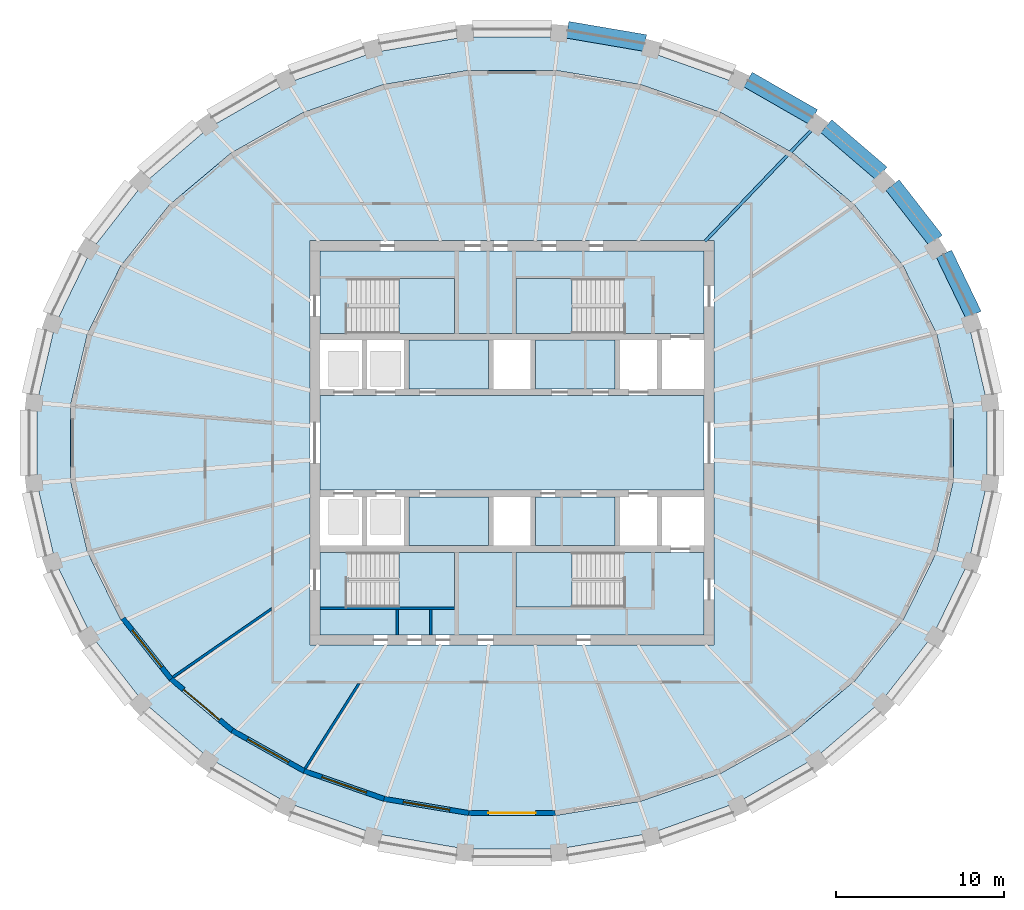
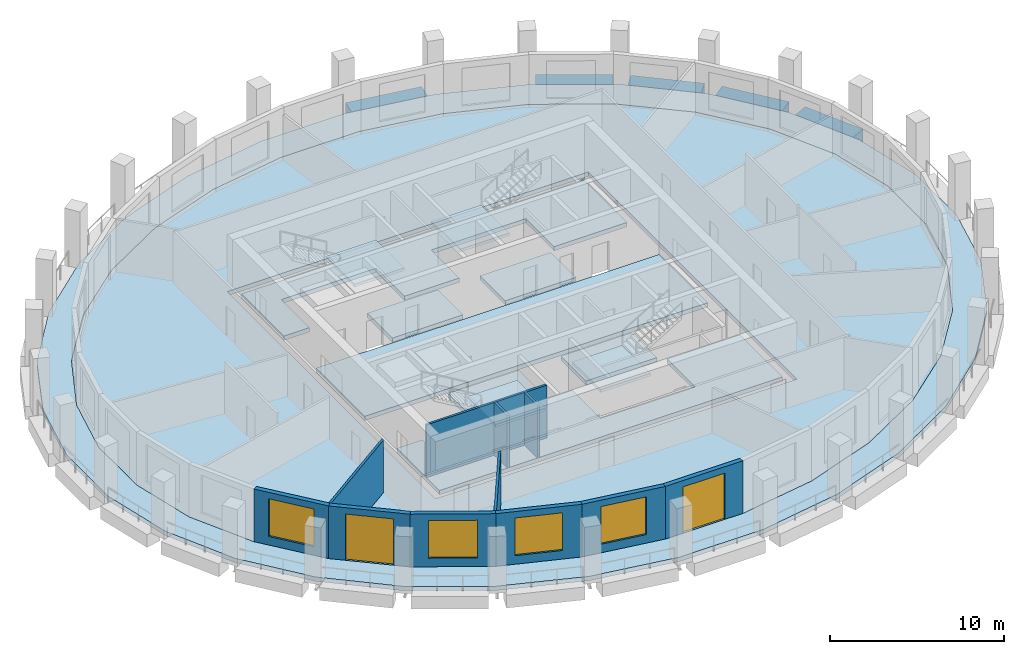
# One storey, part 2 of 10: 13 slabs, 11 walls, 6 beams, 4 windows, 2 doors, 6 openings, 4 elements without a shape of their own.
"""IFC4 building model written with IfcOpenShell, lengths in metres."""

from ifc_helpers import new_model, si_unit, direction, frame, frame_2d, origin, origin_2d, place, context, subcontext, project, spatial, polyline, rectangle, i_section, outline, extrude, material, layer, layer_set, material_profile, profile_set, type_object, element, fill, aggregate, save


model = new_model("IFC4")

# Units and contexts
model_context = context("Model", 3, precision=1e-05, world=origin(), true_north=direction((0.0, 1.0)))
body_context = subcontext(model_context, "Body", "Model", "MODEL_VIEW")
ifc_project = project(units=[si_unit("LENGTHUNIT", "METRE"), si_unit("AREAUNIT", "SQUARE_METRE"), si_unit("VOLUMEUNIT", "CUBIC_METRE"), si_unit("PLANEANGLEUNIT", "RADIAN"), si_unit("MASSUNIT", "GRAM", prefix="KILO")], contexts=[model_context])

# Site, building, storey
site_placement = place(None, origin())
site = spatial("IfcSite", under=ifc_project, at=site_placement, CompositionType="ELEMENT")
building_placement = place(site_placement, origin())
building = spatial("IfcBuilding", under=site, at=building_placement, Name="Halqa Exchange Tower", CompositionType="ELEMENT")
storey_placement = place(building_placement, frame((0.0, 0.0, 312.300048828125)))
storey = spatial("IfcBuildingStorey", under=building, at=storey_placement, Name="L73", CompositionType="ELEMENT", Elevation=312.300048828125)

# Beams
ifc_material_1 = material(Name="Steel S355", Category="steel")
ifc_material_profile_1 = material_profile(ifc_material_1, i_section(OverallWidth=0.179931640625, OverallDepth=0.39990234375, WebThickness=0.008544921875, FlangeThickness=0.013427734375, FilletRadius=0.02099609375, at=origin_2d()), Name="IPE 400")
ifc_profile_set_1 = profile_set([ifc_material_profile_1], Name="Steel S355")
beam_type_1 = type_object("IfcBeamType", Name="Floor beam IPE 400", PredefinedType="BEAM", material=ifc_profile_set_1)
beam_1_placement = place(storey_placement, frame((11.46240234375, 11.9716796875, -0.5), z_axis=(0.69157007379, 0.722309374879, 0.0), x_axis=(-0.722309374879, 0.69157007379, 0.0)))
element("IfcBeam", 1, at=beam_1_placement, inside=storey, type_object=beam_type_1, Name="Radial beam 5", PredefinedType="BEAM", context=body_context, shape_type="SweptSolid", body=[
    extrude(i_section(OverallWidth=0.179931640625, OverallDepth=0.39990234375, WebThickness=0.008544921875, FlangeThickness=0.013427734375, FilletRadius=0.02099609375, at=origin_2d()), origin(), (0.0, 0.0, 1.0), 9.5068359375),
])
ifc_material_2 = material(Name="Concrete C60/75", Category="concrete")
ifc_material_profile_2 = material_profile(ifc_material_2, rectangle(XDim=1.0, YDim=0.89990234375, at=origin_2d()), Name="1000 x 900")
ifc_profile_set_2 = profile_set([ifc_material_profile_2], Name="Concrete C60/75")
beam_type_2 = type_object("IfcBeamType", Name="RC spandrel beam 1000 x 900 C60/75", PredefinedType="SPANDREL", material=ifc_profile_set_2)
beam_2_placement = place(storey_placement, frame((27.393310546875, 7.6044921875, -0.449951171875), z_axis=(-0.43510880849, 0.900377878879, 0.0), x_axis=(-0.900377878879, -0.43510880849, 0.0)))
element("IfcBeam", 2, at=beam_2_placement, inside=storey, type_object=beam_type_2, Name="Spandrel 2", PredefinedType="SPANDREL", context=body_context, shape_type="SweptSolid", body=[
    extrude(rectangle(XDim=1.0, YDim=0.89990234375, at=origin_2d()), origin(), (0.0, 0.0, 1.0), 4.023193359375),
])
beam_3_placement = place(storey_placement, frame((25.14453125, 12.0283203125, -0.449951171875), z_axis=(-0.614813616622, 0.788672439493, 0.0), x_axis=(-0.788672439493, -0.614813616622, 0.0)))
element("IfcBeam", 3, at=beam_3_placement, inside=storey, type_object=beam_type_2, Name="Spandrel 3", PredefinedType="SPANDREL", context=body_context, shape_type="SweptSolid", body=[
    extrude(rectangle(XDim=1.0, YDim=0.89990234375, at=origin_2d()), origin(), (0.0, 0.0, 1.0), 4.160888671875),
])
beam_4_placement = place(storey_placement, frame((21.93505859375, 15.991943359375, -0.449951171875), z_axis=(-0.759264587282, 0.650782057604, 0.0), x_axis=(-0.650782057604, -0.759264587282, 0.0)))
element("IfcBeam", 4, at=beam_4_placement, inside=storey, type_object=beam_type_2, Name="Spandrel 4", PredefinedType="SPANDREL", context=body_context, shape_type="SweptSolid", body=[
    extrude(rectangle(XDim=1.0, YDim=0.89990234375, at=origin_2d()), origin(), (0.0, 0.0, 1.0), 4.31640625),
])
beam_5_placement = place(storey_placement, frame((17.885986328125, 19.345703125, -0.449951171875), z_axis=(-0.867738419342, 0.497021162123, 0.0), x_axis=(-0.497021162123, -0.867738419342, 0.0)))
element("IfcBeam", 5, at=beam_5_placement, inside=storey, type_object=beam_type_2, Name="Spandrel 5", PredefinedType="SPANDREL", context=body_context, shape_type="SweptSolid", body=[
    extrude(rectangle(XDim=1.0, YDim=0.89990234375, at=origin_2d()), origin(), (0.0, 0.0, 1.0), 4.468994140625),
])
beam_6_placement = place(storey_placement, frame((7.90478515625, 23.737060546875, -0.449951171875), z_axis=(-0.985773363279, 0.168079969805, 0.0), x_axis=(-0.168079969805, -0.985773363279, 0.0)))
element("IfcBeam", 6, at=beam_6_placement, inside=storey, type_object=beam_type_2, Name="Spandrel 7", PredefinedType="SPANDREL", context=body_context, shape_type="SweptSolid", body=[
    extrude(rectangle(XDim=1.0, YDim=0.89990234375, at=origin_2d()), origin(), (0.0, 0.0, 1.0), 4.67724609375),
])

# Slabs
ifc_layer_1 = layer(ifc_material_2, 0.300048828125)
ifc_layer_set_1 = layer_set([ifc_layer_1], Name="Concrete C60/75")
slab_type_1 = type_object("IfcSlabType", Name="Core floor slab 300", PredefinedType="FLOOR", material=ifc_layer_set_1)
slab_1_placement = place(storey_placement, frame((0.0, 0.0, -0.300048828125)))
element("IfcSlab", 7, at=slab_1_placement, inside=storey, type_object=slab_type_1, Name="Core floor slab", PredefinedType="FLOOR", context=body_context, shape_type="SweptSolid", body=[
    extrude(outline(polyline([(-11.39990234375, 2.800048828125), (11.39990234375, 2.800048828125), (11.39990234375, -2.800048828125), (-11.39990234375, -2.800048828125), (-11.39990234375, 2.800048828125)])), origin(), (0.0, 0.0, 1.0), 0.300048828125),
])
slab_2_placement = place(storey_placement, frame((0.0, 0.0, -0.300048828125)))
element("IfcSlab", 8, at=slab_2_placement, inside=storey, type_object=slab_type_1, Name="Core floor slab", PredefinedType="FLOOR", context=body_context, shape_type="SweptSolid", body=[
    extrude(outline(polyline([(-11.39990234375, 11.39990234375), (11.39990234375, 11.39990234375), (11.39990234375, 6.5), (6.550048828125, 6.5), (6.550048828125, 9.75), (0.25, 9.75), (0.25, 6.5), (-3.39990234375, 6.5), (-3.39990234375, 9.75), (-9.699951171875, 9.75), (-9.699951171875, 6.5), (-11.39990234375, 6.5), (-11.39990234375, 11.39990234375)])), origin(), (0.0, 0.0, 1.0), 0.300048828125),
])
slab_3_placement = place(storey_placement, frame((0.0, 0.0, -0.300048828125)))
element("IfcSlab", 9, at=slab_3_placement, inside=storey, type_object=slab_type_1, Name="Core floor slab", PredefinedType="FLOOR", context=body_context, shape_type="SweptSolid", body=[
    extrude(outline(polyline([(-11.39990234375, -6.5), (-9.699951171875, -6.5), (-9.699951171875, -9.75), (-3.39990234375, -9.75), (-3.39990234375, -6.5), (0.25, -6.5), (0.25, -9.75), (6.550048828125, -9.75), (6.550048828125, -6.5), (11.39990234375, -6.5), (11.39990234375, -11.39990234375), (-11.39990234375, -11.39990234375), (-11.39990234375, -6.5)])), origin(), (0.0, 0.0, 1.0), 0.300048828125),
])
slab_4_placement = place(storey_placement, frame((0.0, 0.0, -0.300048828125)))
element("IfcSlab", 10, at=slab_4_placement, inside=storey, type_object=slab_type_1, Name="Core floor slab", PredefinedType="FLOOR", context=body_context, shape_type="SweptSolid", body=[
    extrude(outline(polyline([(-1.39990234375, -3.199951171875), (-1.39990234375, -6.10009765625), (-6.10009765625, -6.10009765625), (-6.10009765625, -3.199951171875), (-1.39990234375, -3.199951171875)])), origin(), (0.0, 0.0, 1.0), 0.300048828125),
])
slab_5_placement = place(storey_placement, frame((0.0, 0.0, -0.300048828125)))
element("IfcSlab", 11, at=slab_5_placement, inside=storey, type_object=slab_type_1, Name="Core floor slab", PredefinedType="FLOOR", context=body_context, shape_type="SweptSolid", body=[
    extrude(outline(polyline([(-1.39990234375, 3.199951171875), (-6.10009765625, 3.199951171875), (-6.10009765625, 6.10009765625), (-1.39990234375, 6.10009765625), (-1.39990234375, 3.199951171875)])), origin(), (0.0, 0.0, 1.0), 0.300048828125),
])
slab_6_placement = place(storey_placement, frame((0.0, 0.0, -0.300048828125)))
element("IfcSlab", 12, at=slab_6_placement, inside=storey, type_object=slab_type_1, Name="Core floor slab", PredefinedType="FLOOR", context=body_context, shape_type="SweptSolid", body=[
    extrude(outline(polyline([(6.10009765625, -3.199951171875), (6.10009765625, -6.10009765625), (1.39990234375, -6.10009765625), (1.39990234375, -3.199951171875), (6.10009765625, -3.199951171875)])), origin(), (0.0, 0.0, 1.0), 0.300048828125),
])
slab_7_placement = place(storey_placement, frame((0.0, 0.0, -0.300048828125)))
element("IfcSlab", 13, at=slab_7_placement, inside=storey, type_object=slab_type_1, Name="Core floor slab", PredefinedType="FLOOR", context=body_context, shape_type="SweptSolid", body=[
    extrude(outline(polyline([(6.10009765625, 6.10009765625), (6.10009765625, 3.199951171875), (1.39990234375, 3.199951171875), (1.39990234375, 6.10009765625), (6.10009765625, 6.10009765625)])), origin(), (0.0, 0.0, 1.0), 0.300048828125),
])
ifc_material_3 = material(Name="Concrete C40/50", Category="concrete")
ifc_layer_2 = layer(ifc_material_3, 0.300048828125)
ifc_layer_set_2 = layer_set([ifc_layer_2], Name="Concrete C40/50")
slab_type_2 = type_object("IfcSlabType", Name="RC floor slab 300", PredefinedType="FLOOR", material=ifc_layer_set_2)
slab_8_placement = place(storey_placement, frame((0.0, 0.0, -0.300048828125)))
element("IfcSlab", 14, at=slab_8_placement, inside=storey, type_object=slab_type_2, Name="Floor slab", PredefinedType="FLOOR", context=body_context, shape_type="SweptSolid", body=[
    extrude(outline(polyline([(26.216796875, 2.18359375), (25.204833984375, 6.465576171875), (23.22216796875, 10.4951171875), (20.346923828125, 14.1171875), (16.6923828125, 17.193603515625), (12.400146484375, 19.60791015625), (7.63427734375, 21.26953125), (2.577392578125, 22.1162109375), (-2.577392578125, 22.1162109375), (-7.63427734375, 21.26953125), (-12.400146484375, 19.60791015625), (-16.6923828125, 17.193603515625), (-20.346923828125, 14.1171875), (-23.22216796875, 10.4951171875), (-25.204833984375, 6.465576171875), (-26.216796875, 2.18359375), (-26.216796875, -2.18359375), (-25.204833984375, -6.465576171875), (-23.22216796875, -10.4951171875), (-20.346923828125, -14.1171875), (-16.6923828125, -17.193603515625), (-12.400146484375, -19.60791015625), (-7.63427734375, -21.26953125), (-2.577392578125, -22.1162109375), (2.577392578125, -22.1162109375), (7.63427734375, -21.26953125), (12.400146484375, -19.60791015625), (16.6923828125, -17.193603515625), (20.346923828125, -14.1171875), (23.22216796875, -10.4951171875), (25.204833984375, -6.465576171875), (26.216796875, -2.18359375), (26.216796875, 2.18359375)]), holes=[polyline([(-12.0, -12.0), (12.0, -12.0), (12.0, 12.0), (-12.0, 12.0), (-12.0, -12.0)])]), origin(), (0.0, 0.0, 1.0), 0.300048828125),
])
ifc_layer_3 = layer(ifc_material_3, 0.300048828125)
ifc_layer_set_3 = layer_set([ifc_layer_3], Name="Concrete C40/50")
slab_type_3 = type_object("IfcSlabType", Name="RC loggia slab 300", PredefinedType="FLOOR", material=ifc_layer_set_3)
slab_9_placement = place(storey_placement, frame((0.0, 0.0, -0.300048828125)))
element("IfcSlab", 15, at=slab_9_placement, inside=storey, type_object=slab_type_3, Name="Loggia slab", PredefinedType="FLOOR", context=body_context, shape_type="SweptSolid", body=[
    extrude(outline(polyline([(28.203125, 2.365966796875), (28.203125, -2.365966796875), (27.125732421875, -7.009033203125), (25.009521484375, -11.38818359375), (21.931640625, -15.336181640625), (18.0078125, -18.69970703125), (13.386474609375, -21.346435546875), (8.245849609375, -23.171630859375), (2.78466796875, -24.102783203125), (-2.78466796875, -24.102783203125), (-8.245849609375, -23.171630859375), (-13.386474609375, -21.346435546875), (-18.0078125, -18.69970703125), (-21.931640625, -15.336181640625), (-25.009521484375, -11.38818359375), (-27.125732421875, -7.009033203125), (-28.203125, -2.365966796875), (-28.203125, 2.365966796875), (-27.125732421875, 7.009033203125), (-25.009521484375, 11.38818359375), (-21.931640625, 15.336181640625), (-18.0078125, 18.69970703125), (-13.386474609375, 21.346435546875), (-8.245849609375, 23.171630859375), (-2.78466796875, 24.102783203125), (2.78466796875, 24.102783203125), (8.245849609375, 23.171630859375), (13.386474609375, 21.346435546875), (18.0078125, 18.69970703125), (21.931640625, 15.336181640625), (25.009521484375, 11.38818359375), (27.125732421875, 7.009033203125), (28.203125, 2.365966796875)]), holes=[polyline([(26.216796875, 2.18359375), (25.204833984375, 6.465576171875), (23.22216796875, 10.4951171875), (20.346923828125, 14.1171875), (16.6923828125, 17.193603515625), (12.400146484375, 19.60791015625), (7.63427734375, 21.26953125), (2.577392578125, 22.1162109375), (-2.577392578125, 22.1162109375), (-7.63427734375, 21.26953125), (-12.400146484375, 19.60791015625), (-16.6923828125, 17.193603515625), (-20.346923828125, 14.1171875), (-23.22216796875, 10.4951171875), (-25.204833984375, 6.465576171875), (-26.216796875, 2.18359375), (-26.216796875, -2.18359375), (-25.204833984375, -6.465576171875), (-23.22216796875, -10.4951171875), (-20.346923828125, -14.1171875), (-16.6923828125, -17.193603515625), (-12.400146484375, -19.60791015625), (-7.63427734375, -21.26953125), (-2.577392578125, -22.1162109375), (2.577392578125, -22.1162109375), (7.63427734375, -21.26953125), (12.400146484375, -19.60791015625), (16.6923828125, -17.193603515625), (20.346923828125, -14.1171875), (23.22216796875, -10.4951171875), (25.204833984375, -6.465576171875), (26.216796875, -2.18359375), (26.216796875, 2.18359375)])]), origin(), (0.0, 0.0, 1.0), 0.300048828125),
])

# Stair, slab
ifc_material_4 = material(Name="Concrete C30/37", Category="concrete")
stair_type = type_object("IfcStairType", Name="Exit stair 1500 wide", PredefinedType="HALF_TURN_STAIR", material=ifc_material_4)
stair_1_placement = place(storey_placement, origin())
stair_1 = element("IfcStair", 16, at=stair_1_placement, inside=storey, type_object=stair_type, Name="Exit stair ST1", PredefinedType="HALF_TURN_STAIR")
ifc_layer_4 = layer(ifc_material_4, 0.199951171875)
ifc_layer_set_4 = layer_set([ifc_layer_4], Name="Concrete C30/37")
slab_type_4 = type_object("IfcSlabType", Name="Stair landing 200 slab", PredefinedType="LANDING", material=ifc_layer_set_4)
slab_10_placement = place(storey_placement, frame((0.0, 0.0, 1.800048828125)))
slab_10 = element("IfcSlab", 17, at=slab_10_placement, type_object=slab_type_4, Name="ST1 landing 1", PredefinedType="LANDING", context=body_context, shape_type="SweptSolid", body=[
    extrude(outline(polyline([(-6.719970703125, 6.5), (-3.39990234375, 6.5), (-3.39990234375, 9.75), (-6.719970703125, 9.75), (-6.719970703125, 6.5)])), origin(), (0.0, 0.0, 1.0), 0.199951171875),
])
aggregate(stair_1, [slab_10])

stair_2_placement = place(storey_placement, origin())
stair_2 = element("IfcStair", 18, at=stair_2_placement, inside=storey, type_object=stair_type, Name="Exit stair ST2", PredefinedType="HALF_TURN_STAIR")
slab_11_placement = place(storey_placement, frame((0.0, 0.0, 1.800048828125)))
slab_11 = element("IfcSlab", 19, at=slab_11_placement, type_object=slab_type_4, Name="ST2 landing 1", PredefinedType="LANDING", context=body_context, shape_type="SweptSolid", body=[
    extrude(outline(polyline([(0.25, 6.5), (3.570068359375, 6.5), (3.570068359375, 9.75), (0.25, 9.75), (0.25, 6.5)])), origin(), (0.0, 0.0, 1.0), 0.199951171875),
])
aggregate(stair_2, [slab_11])

stair_3_placement = place(storey_placement, origin())
stair_3 = element("IfcStair", 20, at=stair_3_placement, inside=storey, type_object=stair_type, Name="Exit stair ST3", PredefinedType="HALF_TURN_STAIR")
slab_12_placement = place(storey_placement, frame((0.0, 0.0, 1.800048828125)))
slab_12 = element("IfcSlab", 21, at=slab_12_placement, type_object=slab_type_4, Name="ST3 landing 1", PredefinedType="LANDING", context=body_context, shape_type="SweptSolid", body=[
    extrude(outline(polyline([(-6.719970703125, -9.75), (-3.39990234375, -9.75), (-3.39990234375, -6.5), (-6.719970703125, -6.5), (-6.719970703125, -9.75)])), origin(), (0.0, 0.0, 1.0), 0.199951171875),
])
aggregate(stair_3, [slab_12])

stair_4_placement = place(storey_placement, origin())
stair_4 = element("IfcStair", 22, at=stair_4_placement, inside=storey, type_object=stair_type, Name="Exit stair ST4", PredefinedType="HALF_TURN_STAIR")
slab_13_placement = place(storey_placement, frame((0.0, 0.0, 1.800048828125)))
slab_13 = element("IfcSlab", 23, at=slab_13_placement, type_object=slab_type_4, Name="ST4 landing 1", PredefinedType="LANDING", context=body_context, shape_type="SweptSolid", body=[
    extrude(outline(polyline([(0.25, -9.75), (3.570068359375, -9.75), (3.570068359375, -6.5), (0.25, -6.5), (0.25, -9.75)])), origin(), (0.0, 0.0, 1.0), 0.199951171875),
])
aggregate(stair_4, [slab_13])

# Walls
ifc_material_5 = material(Name="Fire-rated gypsum board")
ifc_layer_5 = layer(ifc_material_5, 0.14990234375)
ifc_layer_set_5 = layer_set([ifc_layer_5], Name="Fire-rated gypsum board")
wall_type_1 = type_object("IfcWallType", Name="Fire partition EI 60 150", PredefinedType="PARTITIONING", material=ifc_layer_set_5)
wall_1_placement = place(storey_placement, frame((-14.232421875, -9.83251953125, 0.0), z_axis=(0.0, 0.0, 1.0), x_axis=(-0.822725997435, -0.568438152436, 0.0)))
element("IfcWall", 24, at=wall_1_placement, inside=storey, type_object=wall_type_1, Name="L73-PWL-007", PredefinedType="PARTITIONING", context=body_context, shape_type="SweptSolid", body=[
    extrude(outline(polyline([(0.0, -0.074951171875), (1.79345703125, -0.074951171875), (3.5869140625, -0.074951171875), (5.38037109375, -0.074951171875), (7.173828125, -0.074951171875), (7.1689453125, -0.000732421875), (7.148193359375, 0.074951171875), (5.386962890625, 0.074951171875), (3.6259765625, 0.074951171875), (1.86474609375, 0.074951171875), (0.103515625, 0.074951171875), (0.0, -0.074951171875), (0.0, -0.074951171875)])), origin(), (0.0, 0.0, 1.0), 3.699951171875),
])
wall_2_placement = place(storey_placement, frame((-9.042236328125, -14.235107421875, 0.0), z_axis=(0.0, 0.0, 1.0), x_axis=(-0.535766262989, -0.844366337228, 0.0)))
element("IfcWall", 25, at=wall_2_placement, inside=storey, type_object=wall_type_1, Name="L73-PWL-009", PredefinedType="PARTITIONING", context=body_context, shape_type="SweptSolid", body=[
    extrude(outline(polyline([(6.041015625, -0.074951171875), (6.041015625, -0.0673828125), (6.037353515625, 0.000732421875), (6.02001953125, 0.074951171875), (4.51513671875, 0.074951171875), (3.010009765625, 0.074951171875), (1.505126953125, 0.074951171875), (0.0, 0.074951171875), (0.0, 0.074462890625), (0.0947265625, -0.074951171875), (2.076904296875, -0.074951171875), (4.058837890625, -0.074951171875), (6.041015625, -0.074951171875)])), origin(), (0.0, 0.0, 1.0), 3.699951171875),
])
ifc_material_6 = material(Name="Gypsum board")
ifc_layer_6 = layer(ifc_material_6, 0.14990234375)
ifc_layer_set_6 = layer_set([ifc_layer_6], Name="Gypsum board")
wall_type_2 = type_object("IfcWallType", Name="Penthouse riser wall 150 gypsum", PredefinedType="PARTITIONING", material=ifc_layer_set_6)
for number, where, z_axis, x_axis, name in (
    (26, (-6.824951171875, -11.39990234375, 0.0), (0.0, 0.0, 1.0), (0.0, 1.0, 0.0), "Partition W6.825 S"),
    (27, (-4.824951171875, -11.39990234375, 0.0), (0.0, 0.0, 1.0), (0.0, 1.0, 0.0), "Partition W4.825 S"),
):
    element("IfcWall", number, at=place(storey_placement, frame(where, z_axis=z_axis, x_axis=x_axis)), inside=storey, type_object=wall_type_2, Name=name, PredefinedType="PARTITIONING", context=body_context, shape_type="SweptSolid", body=[
        extrude(rectangle(XDim=1.5, YDim=0.14990234375, at=frame_2d((0.75, 0.0))), origin(), (0.0, 0.0, 1.0), 3.699951171875),
    ])
ifc_layer_7 = layer(ifc_material_4, 0.14990234375)
ifc_layer_set_7 = layer_set([ifc_layer_7], Name="Concrete C30/37")
wall_type_3 = type_object("IfcWallType", Name="RC stair wall 150 C30/37", PredefinedType="SHEAR", material=ifc_layer_set_7)
wall_3_placement = place(storey_placement, frame((-11.39990234375, -9.824951171875, 0.0), z_axis=(0.0, 0.0, 1.0), x_axis=(1.0, 0.0, 0.0)))
element("IfcWall", 28, at=wall_3_placement, inside=storey, type_object=wall_type_3, Name="Stair ST1 north wall S", PredefinedType="SHEAR", context=body_context, shape_type="SweptSolid", body=[
    extrude(rectangle(XDim=8.0, YDim=0.14990234375, at=frame_2d((4.0, 0.0))), origin(), (0.0, 0.0, 1.0), 3.699951171875),
])

# Wall, opening, window
ifc_material_7 = material(Name="Limestone cladding", Category="masonry")
ifc_layer_8 = layer(ifc_material_7, 0.0400390625)
ifc_material_8 = material(Name="Ventilated cavity")
ifc_layer_9 = layer(ifc_material_8, 0.030029296875, ventilated=True)
ifc_material_9 = material(Name="Mineral wool insulation")
ifc_layer_10 = layer(ifc_material_9, 0.10009765625)
ifc_layer_11 = layer(ifc_material_4, 0.10009765625)
ifc_material_10 = material(Name="Internal plaster")
ifc_layer_12 = layer(ifc_material_10, 0.030029296875)
ifc_layer_set_8 = layer_set([ifc_layer_8, ifc_layer_9, ifc_layer_10, ifc_layer_11, ifc_layer_12], Name="Stone-faced insulated wall 300")
wall_type_4 = type_object("IfcWallType", Name="Stone-faced insulated wall 300", PredefinedType="STANDARD", material=ifc_layer_set_8)
wall_4_placement = place(storey_placement, frame((-23.094482421875, -10.41455078125, 0.0), z_axis=(0.0, 0.0, 1.0), x_axis=(0.621682706372, -0.78326918272, 0.0)))
wall_4 = element("IfcWall", 29, at=wall_4_placement, inside=storey, type_object=wall_type_4, Name="Glass-line wall 19", PredefinedType="STANDARD", context=body_context, shape_type="SweptSolid", body=[
    extrude(outline(polyline([(-0.01611328125, -0.14990234375), (4.608154296875, -0.14990234375), (4.577880859375, 0.14990234375), (0.01611328125, 0.14990234375), (-0.01611328125, -0.14990234375)])), origin(), (0.0, 0.0, 1.0), 3.699951171875),
])
opening_1_placement = place(wall_4_placement, frame((0.896484375, 0.0, 0.60009765625)))
opening_1 = element("IfcOpeningElement", 30, at=opening_1_placement, cuts=wall_4, Name="Opening W-F4-19", PredefinedType="OPENING", context=body_context, shape_type="SweptSolid", body=[
    extrude(rectangle(XDim=2.800048828125, YDim=2.64990234375, at=frame_2d((1.39990234375, 1.324951171875))), frame((0.0, 0.162109375, 0.0), z_axis=(0.0, -1.0, 0.0), x_axis=(1.0, 0.0, 0.0)), (0.0, 0.0, 1.0), 0.323974609375),
])
ifc_material_11 = material(Name="Clear low-emissivity glass in aluminium frame", Category="aluminium")
window_type = type_object("IfcWindowType", Name="Fixed clear glazed window 2800 x 2650", PartitioningType="DOUBLE_PANEL_VERTICAL", PredefinedType="WINDOW", material=ifc_material_11)
window_1_placement = place(opening_1_placement, origin())
window_1 = element("IfcWindow", 31, at=window_1_placement, inside=storey, type_object=window_type, Name="Window 4", OverallHeight=2.64990234375, OverallWidth=2.800048828125, PartitioningType="DOUBLE_PANEL_VERTICAL", PredefinedType="WINDOW", context=body_context, shape_type="SweptSolid", body=[
    extrude(rectangle(XDim=2.800048828125, YDim=2.64990234375, at=frame_2d((1.39990234375, 1.324951171875))), frame((0.0, 0.030029296875, 0.0), z_axis=(0.0, -1.0, 0.0), x_axis=(1.0, 0.0, 0.0)), (0.0, 0.0, 1.0), 0.06005859375),
])
fill(opening_1, window_1)

# Wall, opening, door
wall_5_placement = place(storey_placement, frame((-20.239013671875, -14.01220703125, 0.0), z_axis=(0.0, 0.0, 1.0), x_axis=(0.765059193792, -0.643959959931, 0.0)))
wall_5 = element("IfcWall", 32, at=wall_5_placement, inside=storey, type_object=wall_type_4, Name="Glass-line wall 20", PredefinedType="STANDARD", context=body_context, shape_type="SweptSolid", body=[
    extrude(outline(polyline([(-0.01513671875, -0.14990234375), (4.761962890625, -0.14990234375), (4.733642578125, 0.14990234375), (0.01513671875, 0.14990234375), (-0.01513671875, -0.14990234375)])), origin(), (0.0, 0.0, 1.0), 3.699951171875),
])
opening_2_placement = place(wall_5_placement, frame((0.973876953125, 0.0, 0.0)))
opening_2 = element("IfcOpeningElement", 33, at=opening_2_placement, cuts=wall_5, Name="Opening LG-F4-05", PredefinedType="OPENING", context=body_context, shape_type="SweptSolid", body=[
    extrude(rectangle(XDim=2.800048828125, YDim=3.25, at=frame_2d((1.39990234375, 1.625))), frame((0.0, 0.162109375, 0.0), z_axis=(0.0, -1.0, 0.0), x_axis=(1.0, 0.0, 0.0)), (0.0, 0.0, 1.0), 0.323974609375),
])
door_type = type_object("IfcDoorType", Name="Glazed sliding loggia door 2800 x 3250", OperationType="DOUBLE_DOOR_SLIDING", PredefinedType="DOOR", material=ifc_material_11)
door_1_placement = place(opening_2_placement, origin())
door_1 = element("IfcDoor", 34, at=door_1_placement, inside=storey, type_object=door_type, Name="Loggia door 5", OperationType="DOUBLE_DOOR_SLIDING", OverallHeight=3.25, OverallWidth=2.800048828125, PredefinedType="DOOR", context=body_context, shape_type="SweptSolid", body=[
    extrude(rectangle(XDim=2.800048828125, YDim=3.25, at=frame_2d((1.39990234375, 1.625))), frame((0.0, 0.02490234375, 0.0), z_axis=(0.0, -1.0, 0.0), x_axis=(1.0, 0.0, 0.0)), (0.0, 0.0, 1.0), 0.050048828125),
])
fill(opening_2, door_1)

# Wall, opening, window
wall_6_placement = place(storey_placement, frame((-16.606689453125, -17.069580078125, 0.0), z_axis=(0.0, 0.0, 1.0), x_axis=(0.871570211895, -0.490270706588, 0.0)))
wall_6 = element("IfcWall", 35, at=wall_6_placement, inside=storey, type_object=wall_type_4, Name="Glass-line wall 21", PredefinedType="STANDARD", context=body_context, shape_type="SweptSolid", body=[
    extrude(outline(polyline([(-0.01416015625, -0.14990234375), (4.91064453125, -0.14990234375), (4.88427734375, 0.14990234375), (0.01416015625, 0.14990234375), (-0.01416015625, -0.14990234375)])), origin(), (0.0, 0.0, 1.0), 3.699951171875),
])
opening_3_placement = place(wall_6_placement, frame((1.048828125, 0.0, 0.60009765625)))
opening_3 = element("IfcOpeningElement", 36, at=opening_3_placement, cuts=wall_6, Name="Opening W-F4-21", PredefinedType="OPENING", context=body_context, shape_type="SweptSolid", body=[
    extrude(rectangle(XDim=2.800048828125, YDim=2.64990234375, at=frame_2d((1.39990234375, 1.324951171875))), frame((0.0, 0.162109375, 0.0), z_axis=(0.0, -1.0, 0.0), x_axis=(1.0, 0.0, 0.0)), (0.0, 0.0, 1.0), 0.323974609375),
])
window_2_placement = place(opening_3_placement, origin())
window_2 = element("IfcWindow", 37, at=window_2_placement, inside=storey, type_object=window_type, Name="Window 4", OverallHeight=2.64990234375, OverallWidth=2.800048828125, PartitioningType="DOUBLE_PANEL_VERTICAL", PredefinedType="WINDOW", context=body_context, shape_type="SweptSolid", body=[
    extrude(rectangle(XDim=2.800048828125, YDim=2.64990234375, at=frame_2d((1.39990234375, 1.324951171875))), frame((0.0, 0.030029296875, 0.0), z_axis=(0.0, -1.0, 0.0), x_axis=(1.0, 0.0, 0.0)), (0.0, 0.0, 1.0), 0.06005859375),
])
fill(opening_3, window_2)

wall_7_placement = place(storey_placement, frame((-12.338134765625, -19.470703125, 0.0), z_axis=(0.0, 0.0, 1.0), x_axis=(0.944251863618, -0.329223963365, 0.0)))
wall_7 = element("IfcWall", 38, at=wall_7_placement, inside=storey, type_object=wall_type_4, Name="Glass-line wall 22", PredefinedType="STANDARD", context=body_context, shape_type="SweptSolid", body=[
    extrude(outline(polyline([(-0.01318359375, -0.14990234375), (5.033935546875, -0.14990234375), (5.008544921875, 0.14990234375), (0.01318359375, 0.14990234375), (-0.01318359375, -0.14990234375)])), origin(), (0.0, 0.0, 1.0), 3.699951171875),
])
opening_4_placement = place(wall_7_placement, frame((1.110595703125, 0.0, 0.60009765625)))
opening_4 = element("IfcOpeningElement", 39, at=opening_4_placement, cuts=wall_7, Name="Opening W-F4-22", PredefinedType="OPENING", context=body_context, shape_type="SweptSolid", body=[
    extrude(rectangle(XDim=2.800048828125, YDim=2.64990234375, at=frame_2d((1.39990234375, 1.324951171875))), frame((0.0, 0.162109375, 0.0), z_axis=(0.0, -1.0, 0.0), x_axis=(1.0, 0.0, 0.0)), (0.0, 0.0, 1.0), 0.323974609375),
])
window_3_placement = place(opening_4_placement, origin())
window_3 = element("IfcWindow", 40, at=window_3_placement, inside=storey, type_object=window_type, Name="Window 4", OverallHeight=2.64990234375, OverallWidth=2.800048828125, PartitioningType="DOUBLE_PANEL_VERTICAL", PredefinedType="WINDOW", context=body_context, shape_type="SweptSolid", body=[
    extrude(rectangle(XDim=2.800048828125, YDim=2.64990234375, at=frame_2d((1.39990234375, 1.324951171875))), frame((0.0, 0.030029296875, 0.0), z_axis=(0.0, -1.0, 0.0), x_axis=(1.0, 0.0, 0.0)), (0.0, 0.0, 1.0), 0.06005859375),
])
fill(opening_4, window_3)

wall_8_placement = place(storey_placement, frame((-7.596923828125, -21.123779296875, 0.0), z_axis=(0.0, 0.0, 1.0), x_axis=(0.986269480969, -0.165143909695, 0.0)))
wall_8 = element("IfcWall", 41, at=wall_8_placement, inside=storey, type_object=wall_type_4, Name="Glass-line wall 23", PredefinedType="STANDARD", context=body_context, shape_type="SweptSolid", body=[
    extrude(outline(polyline([(-0.0126953125, -0.14990234375), (5.1142578125, -0.14990234375), (5.08935546875, 0.14990234375), (0.0126953125, 0.14990234375), (-0.0126953125, -0.14990234375)])), origin(), (0.0, 0.0, 1.0), 3.699951171875),
])
opening_5_placement = place(wall_8_placement, frame((1.15087890625, 0.0, 0.60009765625)))
opening_5 = element("IfcOpeningElement", 42, at=opening_5_placement, cuts=wall_8, Name="Opening W-F4-23", PredefinedType="OPENING", context=body_context, shape_type="SweptSolid", body=[
    extrude(rectangle(XDim=2.800048828125, YDim=2.64990234375, at=frame_2d((1.39990234375, 1.324951171875))), frame((0.0, 0.162109375, 0.0), z_axis=(0.0, -1.0, 0.0), x_axis=(1.0, 0.0, 0.0)), (0.0, 0.0, 1.0), 0.323974609375),
])
window_4_placement = place(opening_5_placement, origin())
window_4 = element("IfcWindow", 43, at=window_4_placement, inside=storey, type_object=window_type, Name="Window 4", OverallHeight=2.64990234375, OverallWidth=2.800048828125, PartitioningType="DOUBLE_PANEL_VERTICAL", PredefinedType="WINDOW", context=body_context, shape_type="SweptSolid", body=[
    extrude(rectangle(XDim=2.800048828125, YDim=2.64990234375, at=frame_2d((1.39990234375, 1.324951171875))), frame((0.0, 0.030029296875, 0.0), z_axis=(0.0, -1.0, 0.0), x_axis=(1.0, 0.0, 0.0)), (0.0, 0.0, 1.0), 0.06005859375),
])
fill(opening_5, window_4)

# Wall, opening, door
wall_9_placement = place(storey_placement, frame((-2.565185546875, -21.96630859375, 0.0), z_axis=(0.0, 0.0, 1.0), x_axis=(1.0, 0.0, 0.0)))
wall_9 = element("IfcWall", 44, at=wall_9_placement, inside=storey, type_object=wall_type_4, Name="Glass-line wall 24", PredefinedType="STANDARD", context=body_context, shape_type="SweptSolid", body=[
    extrude(outline(polyline([(-0.012451171875, -0.14990234375), (5.142822265625, -0.14990234375), (5.117919921875, 0.14990234375), (0.012451171875, 0.14990234375), (-0.012451171875, -0.14990234375)])), origin(), (0.0, 0.0, 1.0), 3.699951171875),
])
opening_6_placement = place(wall_9_placement, frame((1.1650390625, 0.0, 0.0)))
opening_6 = element("IfcOpeningElement", 45, at=opening_6_placement, cuts=wall_9, Name="Opening LG-F4-06", PredefinedType="OPENING", context=body_context, shape_type="SweptSolid", body=[
    extrude(rectangle(XDim=2.800048828125, YDim=3.25, at=frame_2d((1.39990234375, 1.625))), frame((0.0, 0.162109375, 0.0), z_axis=(0.0, -1.0, 0.0), x_axis=(1.0, 0.0, 0.0)), (0.0, 0.0, 1.0), 0.323974609375),
])
door_2_placement = place(opening_6_placement, origin())
door_2 = element("IfcDoor", 46, at=door_2_placement, inside=storey, type_object=door_type, Name="Loggia door 6", OperationType="DOUBLE_DOOR_SLIDING", OverallHeight=3.25, OverallWidth=2.800048828125, PredefinedType="DOOR", context=body_context, shape_type="SweptSolid", body=[
    extrude(rectangle(XDim=2.800048828125, YDim=3.25, at=frame_2d((1.39990234375, 1.625))), frame((0.0, 0.02490234375, 0.0), z_axis=(0.0, -1.0, 0.0), x_axis=(1.0, 0.0, 0.0)), (0.0, 0.0, 1.0), 0.050048828125),
])
fill(opening_6, door_2)

save(model, "model.ifc")
